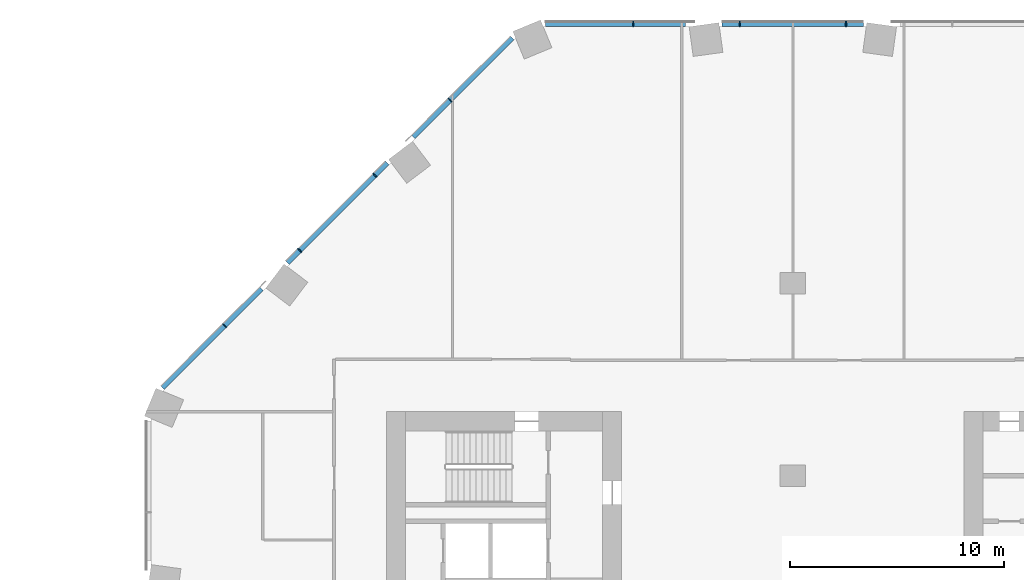
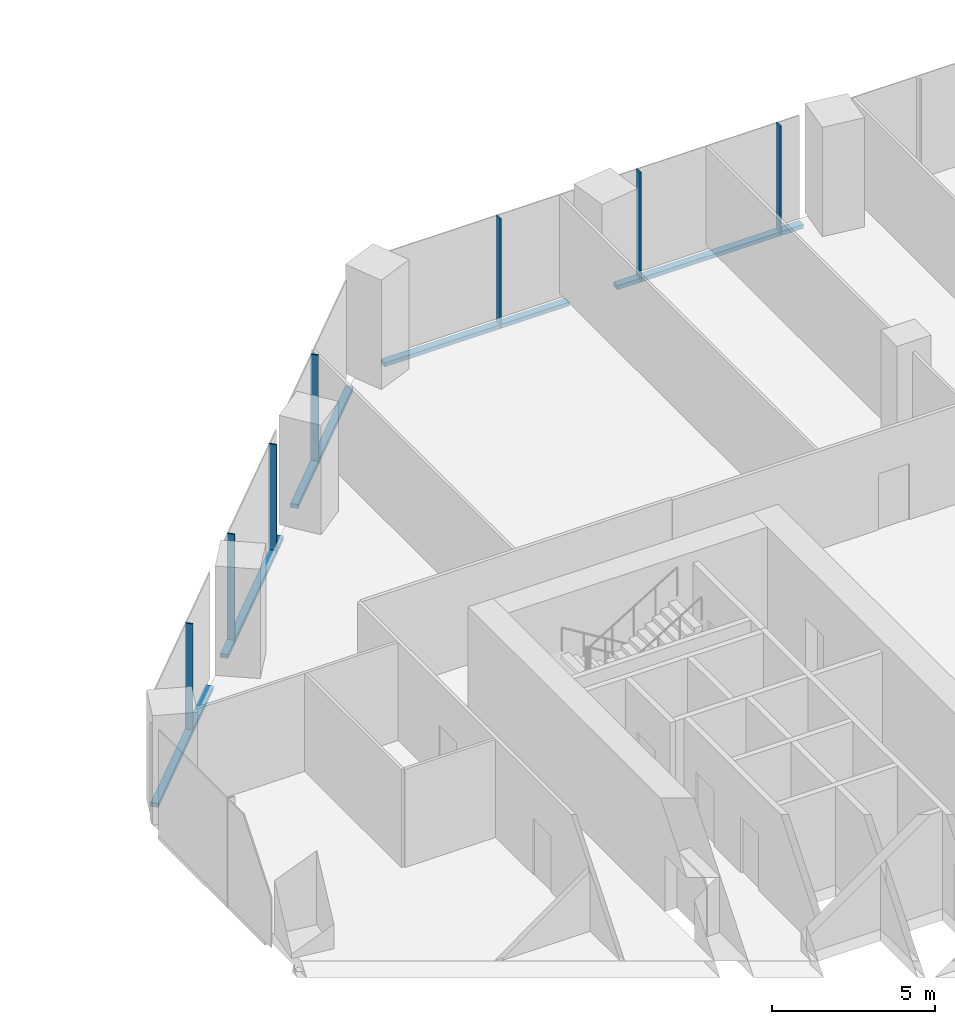
# One storey, part 10 of 29: 12 members, 2 elements without a shape of their own.
"""IFC4 building model written with IfcOpenShell, lengths in metres."""

from ifc_helpers import new_model, si_unit, direction, frame, origin, origin_2d, place, context, subcontext, project, spatial, rectangle, extrude, material, material_profile, profile_set, type_object, element, aggregate, save


model = new_model("IFC4")

# Units and contexts
model_context = context("Model", 3, precision=1e-05, world=origin(), true_north=direction((0.0, 1.0)))
body_context = subcontext(model_context, "Body", "Model", "MODEL_VIEW")
ifc_project = project(units=[si_unit("LENGTHUNIT", "METRE"), si_unit("AREAUNIT", "SQUARE_METRE"), si_unit("VOLUMEUNIT", "CUBIC_METRE"), si_unit("PLANEANGLEUNIT", "RADIAN"), si_unit("MASSUNIT", "GRAM", prefix="KILO")], contexts=[model_context])

# Site, building, storey
site_placement = place(None, origin())
site = spatial("IfcSite", under=ifc_project, at=site_placement, CompositionType="ELEMENT")
building_placement = place(site_placement, origin())
building = spatial("IfcBuilding", under=site, at=building_placement, Name="Orlundy Tower", CompositionType="ELEMENT")
storey_placement = place(building_placement, frame((0.0, 0.0, 25.10009765625)))
storey = spatial("IfcBuildingStorey", under=building, at=storey_placement, Name="L04", CompositionType="ELEMENT", Elevation=25.10009765625)

# Curtain wall, members
ifc_material_1 = material(Name="Aluminium bronze anodised", Category="aluminium")
curtain_wall_type = type_object("IfcCurtainWallType", Name="CW2 wall", PredefinedType="NOTDEFINED", material=ifc_material_1)
curtain_wall_1_placement = place(storey_placement, origin())
curtain_wall_1 = element("IfcCurtainWall", 1, at=curtain_wall_1_placement, inside=storey, type_object=curtain_wall_type, Name="CW2 run 014", PredefinedType="NOTDEFINED")
ifc_material_2 = material(Name="Aluminium bronze anodised", Category="aluminium")
ifc_material_profile_1 = material_profile(ifc_material_2, rectangle(XDim=0.25, YDim=0.050048828125, at=origin_2d()), Name="CW2 mullion 50x250")
ifc_profile_set_1 = profile_set([ifc_material_profile_1], Name="Aluminium bronze anodised")
member_type_1 = type_object("IfcMemberType", Name="CW2 mullion 50x250", PredefinedType="MULLION", material=ifc_profile_set_1)
member_1_placement = place(storey_placement, frame((-26.573486328125, 16.029296875, -0.420166015625), z_axis=(0.0, 0.0, 1.0), x_axis=(-0.707106781187, 0.707106781187, 0.0)))
member_1 = element("IfcMember", 2, at=member_1_placement, type_object=member_type_1, Name="CW2 mullion 35", PredefinedType="MULLION", context=body_context, shape_type="SweptSolid", body=[
    extrude(rectangle(XDim=0.25, YDim=0.050048828125, at=origin_2d()), origin(), (0.0, 0.0, 1.0), 4.1201171875),
])
member_2_placement = place(storey_placement, frame((-23.058837890625, 19.5439453125, -0.420166015625), z_axis=(0.0, 0.0, 1.0), x_axis=(-0.707106781187, 0.707106781187, 0.0)))
member_2 = element("IfcMember", 3, at=member_2_placement, type_object=member_type_1, Name="CW2 mullion 36", PredefinedType="MULLION", context=body_context, shape_type="SweptSolid", body=[
    extrude(rectangle(XDim=0.25, YDim=0.050048828125, at=origin_2d()), origin(), (0.0, 0.0, 1.0), 4.1201171875),
])
member_3_placement = place(storey_placement, frame((-19.5439453125, 23.058837890625, -0.420166015625), z_axis=(0.0, 0.0, 1.0), x_axis=(-0.707106781187, 0.707106781187, 0.0)))
member_3 = element("IfcMember", 4, at=member_3_placement, type_object=member_type_1, Name="CW2 mullion 37", PredefinedType="MULLION", context=body_context, shape_type="SweptSolid", body=[
    extrude(rectangle(XDim=0.25, YDim=0.050048828125, at=origin_2d()), origin(), (0.0, 0.0, 1.0), 4.1201171875),
])
member_4_placement = place(storey_placement, frame((-16.029296875, 26.573486328125, -0.420166015625), z_axis=(0.0, 0.0, 1.0), x_axis=(-0.707106781187, 0.707106781187, 0.0)))
member_4 = element("IfcMember", 5, at=member_4_placement, type_object=member_type_1, Name="CW2 mullion 38", PredefinedType="MULLION", context=body_context, shape_type="SweptSolid", body=[
    extrude(rectangle(XDim=0.25, YDim=0.050048828125, at=origin_2d()), origin(), (0.0, 0.0, 1.0), 4.1201171875),
])

curtain_wall_2_placement = place(storey_placement, origin())
curtain_wall_2 = element("IfcCurtainWall", 6, at=curtain_wall_2_placement, inside=storey, type_object=curtain_wall_type, Name="CW2 run 015", PredefinedType="NOTDEFINED")
member_5_placement = place(storey_placement, frame((-7.45556640625, 30.125, -0.420166015625), z_axis=(0.0, 0.0, 1.0), x_axis=(0.0, 1.0, 0.0)))
member_5 = element("IfcMember", 7, at=member_5_placement, type_object=member_type_1, Name="CW2 mullion 40", PredefinedType="MULLION", context=body_context, shape_type="SweptSolid", body=[
    extrude(rectangle(XDim=0.25, YDim=0.050048828125, at=origin_2d()), origin(), (0.0, 0.0, 1.0), 4.1201171875),
])
member_6_placement = place(storey_placement, frame((-2.485107421875, 30.125, -0.420166015625), z_axis=(0.0, 0.0, 1.0), x_axis=(0.0, 1.0, 0.0)))
member_6 = element("IfcMember", 8, at=member_6_placement, type_object=member_type_1, Name="CW2 mullion 41", PredefinedType="MULLION", context=body_context, shape_type="SweptSolid", body=[
    extrude(rectangle(XDim=0.25, YDim=0.050048828125, at=origin_2d()), origin(), (0.0, 0.0, 1.0), 4.1201171875),
])
member_7_placement = place(storey_placement, frame((2.485107421875, 30.125, -0.420166015625), z_axis=(0.0, 0.0, 1.0), x_axis=(0.0, 1.0, 0.0)))
member_7 = element("IfcMember", 9, at=member_7_placement, type_object=member_type_1, Name="CW2 mullion 42", PredefinedType="MULLION", context=body_context, shape_type="SweptSolid", body=[
    extrude(rectangle(XDim=0.25, YDim=0.050048828125, at=origin_2d()), origin(), (0.0, 0.0, 1.0), 4.1201171875),
])

# Member
ifc_material_3 = material(Name="Aluminium bronze anodised", Category="aluminium")
ifc_material_profile_2 = material_profile(ifc_material_3, rectangle(XDim=0.25, YDim=0.14990234375, at=origin_2d()), Name="CW2 transom 250x150")
ifc_profile_set_2 = profile_set([ifc_material_profile_2], Name="Aluminium bronze anodised")
member_type_2 = type_object("IfcMemberType", Name="CW2 transom 250x150", PredefinedType="USERDEFINED", material=ifc_profile_set_2)
member_8_placement = place(storey_placement, frame((-29.47412109375, 13.128662109375, -0.34521484375), z_axis=(0.707106781187, 0.707106781187, 0.0), x_axis=(-0.707106781187, 0.707106781187, 0.0)))
member_8 = element("IfcMember", 10, at=member_8_placement, type_object=member_type_2, Name="CW2 transom", ObjectType="TRANSOM", PredefinedType="USERDEFINED", context=body_context, shape_type="SweptSolid", body=[
    extrude(rectangle(XDim=0.25, YDim=0.14990234375, at=origin_2d()), origin(), (0.0, 0.0, 1.0), 6.541015625),
])

member_9_placement = place(storey_placement, frame((-23.635498046875, 18.96728515625, -0.34521484375), z_axis=(0.707106781187, 0.707106781187, 0.0), x_axis=(-0.707106781187, 0.707106781187, 0.0)))
member_9 = element("IfcMember", 11, at=member_9_placement, type_object=member_type_2, Name="CW2 transom", ObjectType="TRANSOM", PredefinedType="USERDEFINED", context=body_context, shape_type="SweptSolid", body=[
    extrude(rectangle(XDim=0.25, YDim=0.14990234375, at=origin_2d()), origin(), (0.0, 0.0, 1.0), 6.601806640625),
])

member_10_placement = place(storey_placement, frame((-17.75390625, 24.848876953125, -0.34521484375), z_axis=(0.707106781187, 0.707106781187, 0.0), x_axis=(-0.707106781187, 0.707106781187, 0.0)))
member_10 = element("IfcMember", 12, at=member_10_placement, type_object=member_type_2, Name="CW2 transom", ObjectType="TRANSOM", PredefinedType="USERDEFINED", context=body_context, shape_type="SweptSolid", body=[
    extrude(rectangle(XDim=0.25, YDim=0.14990234375, at=origin_2d()), origin(), (0.0, 0.0, 1.0), 6.541015625),
])

aggregate(curtain_wall_1, [member_1, member_2, member_3, member_4, member_8, member_9, member_10])

member_11_placement = place(storey_placement, frame((-11.558349609375, 30.125, -0.34521484375), z_axis=(1.0, 0.0, 0.0), x_axis=(0.0, 1.0, 0.0)))
member_11 = element("IfcMember", 13, at=member_11_placement, type_object=member_type_2, Name="CW2 transom", ObjectType="TRANSOM", PredefinedType="USERDEFINED", context=body_context, shape_type="SweptSolid", body=[
    extrude(rectangle(XDim=0.25, YDim=0.14990234375, at=origin_2d()), origin(), (0.0, 0.0, 1.0), 6.541259765625),
])

member_12_placement = place(storey_placement, frame((-3.301025390625, 30.125, -0.34521484375), z_axis=(1.0, 0.0, 0.0), x_axis=(0.0, 1.0, 0.0)))
member_12 = element("IfcMember", 14, at=member_12_placement, type_object=member_type_2, Name="CW2 transom", ObjectType="TRANSOM", PredefinedType="USERDEFINED", context=body_context, shape_type="SweptSolid", body=[
    extrude(rectangle(XDim=0.25, YDim=0.14990234375, at=origin_2d()), origin(), (0.0, 0.0, 1.0), 6.60205078125),
])

aggregate(curtain_wall_2, [member_5, member_6, member_7, member_11, member_12])

save(model, "model.ifc")
